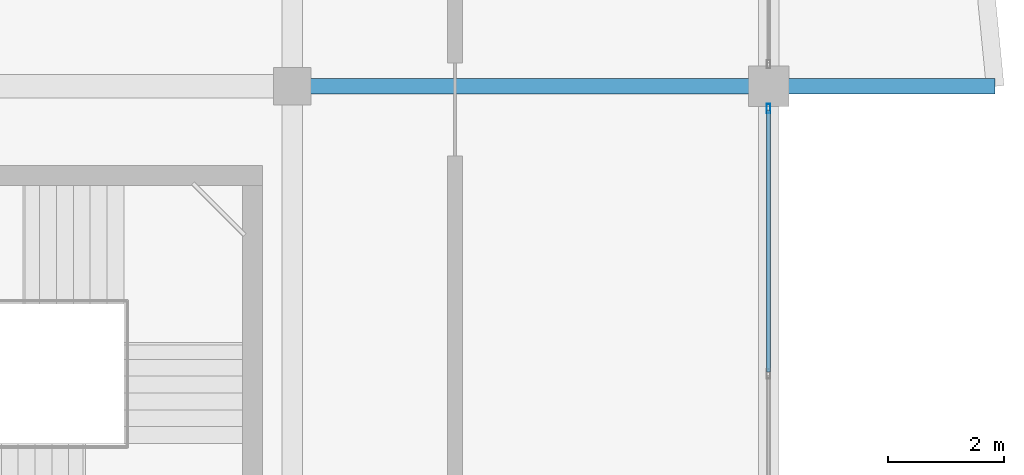
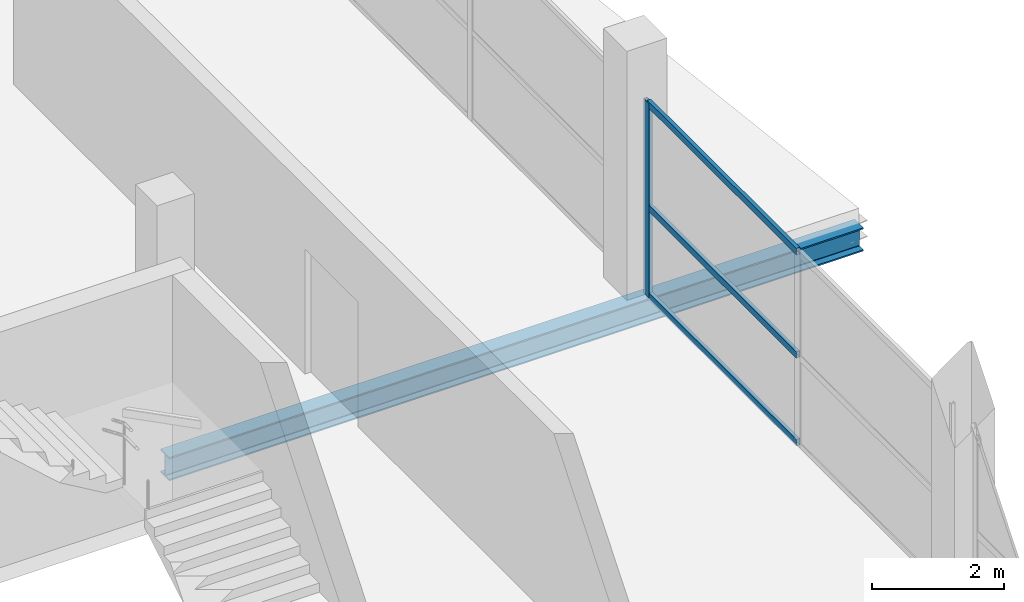
# One storey, part 35 of 69: 4 members, 1 beam, 1 element without a shape of its own.
"""IFC4 building model written with IfcOpenShell, lengths in metres."""

from ifc_helpers import new_model, si_unit, direction, frame, origin, origin_2d, place, context, subcontext, project, spatial, hollow_rectangle, i_section, extrude, material, layer, layer_set, material_profile, profile_set, type_object, element, aggregate, save


model = new_model("IFC4")

# Units and contexts
model_context = context("Model", 3, precision=1e-05, world=origin(), true_north=direction((0.0, 1.0)))
body_context = subcontext(model_context, "Body", "Model", "MODEL_VIEW")
ifc_project = project(units=[si_unit("LENGTHUNIT", "METRE"), si_unit("AREAUNIT", "SQUARE_METRE"), si_unit("VOLUMEUNIT", "CUBIC_METRE"), si_unit("PLANEANGLEUNIT", "RADIAN"), si_unit("MASSUNIT", "GRAM", prefix="KILO")], contexts=[model_context])

# Site, building, storey
site_placement = place(None, origin())
site = spatial("IfcSite", under=ifc_project, at=site_placement, CompositionType="ELEMENT")
building_placement = place(site_placement, origin())
building = spatial("IfcBuilding", under=site, at=building_placement, Name="Sillaruma Civic Art Gallery", CompositionType="ELEMENT")
storey_placement = place(building_placement, frame((0.0, 0.0, 42.330078125)))
storey = spatial("IfcBuildingStorey", under=building, at=storey_placement, Name="L08", CompositionType="ELEMENT", Elevation=42.330078125)

# Beam
ifc_material_1 = material(Name="Structural Steel ASTM A992 Gr.50", Category="steel")
ifc_material_profile_1 = material_profile(ifc_material_1, i_section(OverallWidth=0.264892578125, OverallDepth=0.430908203125, WebThickness=0.014892578125, FlangeThickness=0.02490234375, FilletRadius=0.012939453125, at=origin_2d()), Name="W410x149")
ifc_profile_set_1 = profile_set([ifc_material_profile_1], Name="Structural Steel ASTM A992 Gr.50")
beam_type = type_object("IfcBeamType", Name="BM-PROW-W410x149", PredefinedType="BEAM", material=ifc_profile_set_1)
beam_placement = place(storey_placement, frame((106.199951171875, 59.39990234375, -0.49560546875), z_axis=(1.0, 0.0, 0.0), x_axis=(0.0, 1.0, 0.0)))
element("IfcBeam", 1, at=beam_placement, inside=storey, type_object=beam_type, Name="Back-Spanned Prow Beam (PRW-L07-E-ROF-S)", PredefinedType="BEAM", context=body_context, shape_type="SweptSolid", body=[
    extrude(i_section(OverallWidth=0.264892578125, OverallDepth=0.430908203125, WebThickness=0.014892578125, FlangeThickness=0.02490234375, FilletRadius=0.012939453125, at=origin_2d()), origin(), (0.0, 0.0, 1.0), 12.10009765625),
])

# Curtain wall, members
ifc_material_2 = material(Name="Thermally Broken Extruded Aluminium 6063-T6", Category="aluminium")
ifc_layer = layer(ifc_material_2, 0.159912109375, Name="Thermally Broken Extruded Aluminium 6063-T6")
ifc_layer_set = layer_set([ifc_layer], Name="Thermally Broken Extruded Aluminium 6063-T6")
curtain_wall_type = type_object("IfcCurtainWallType", Name="CW-UNI-30", PredefinedType="NOTDEFINED", material=ifc_layer_set)
curtain_wall_placement = place(storey_placement, origin())
curtain_wall = element("IfcCurtainWall", 2, at=curtain_wall_placement, inside=storey, type_object=curtain_wall_type, Name="Unitised Curtain Wall CW-30 (CW-L08-EBE-4)", PredefinedType="NOTDEFINED")
ifc_material_profile_2 = material_profile(ifc_material_2, hollow_rectangle(XDim=0.06494140625, YDim=0.159912109375, WallThickness=0.00390625, at=origin_2d()), Name="CWM65x160")
ifc_profile_set_2 = profile_set([ifc_material_profile_2], Name="Thermally Broken Extruded Aluminium 6063-T6")
member_type_1 = type_object("IfcMemberType", Name="MEM-MUL-CWM65x160", PredefinedType="MULLION", material=ifc_profile_set_2)
member_1_placement = place(storey_placement, frame((114.39990234375, 59.017578125, 0.0), z_axis=(0.0, 0.0, 1.0), x_axis=(-1.0, 0.0, 0.0)))
member_1 = element("IfcMember", 3, at=member_1_placement, type_object=member_type_1, Name="CW-30 mullion 3", PredefinedType="MULLION", context=body_context, shape_type="SweptSolid", body=[
    extrude(hollow_rectangle(XDim=0.06494140625, YDim=0.159912109375, WallThickness=0.00390625, at=origin_2d()), origin(), (0.0, 0.0, 1.0), 3.58984375),
])
ifc_material_profile_3 = material_profile(ifc_material_2, hollow_rectangle(XDim=0.06494140625, YDim=0.1201171875, WallThickness=0.00341796875, at=origin_2d()), Name="CWT65x120")
ifc_profile_set_3 = profile_set([ifc_material_profile_3], Name="Thermally Broken Extruded Aluminium 6063-T6")
member_type_2 = type_object("IfcMemberType", Name="MEM-TRN-CWT65x120", PredefinedType="USERDEFINED", material=ifc_profile_set_3)
member_2_placement = place(storey_placement, frame((114.39990234375, 54.482421875, 0.032470703125), z_axis=(0.0, 1.0, 0.0), x_axis=(-1.0, 0.0, 0.0)))
member_2 = element("IfcMember", 4, at=member_2_placement, type_object=member_type_2, Name="CW-30 transom 2.1", ObjectType="TRANSOM", PredefinedType="USERDEFINED", context=body_context, shape_type="SweptSolid", body=[
    extrude(hollow_rectangle(XDim=0.06494140625, YDim=0.1201171875, WallThickness=0.00341796875, at=origin_2d()), origin(), (0.0, 0.0, 1.0), 4.502685546875),
])
member_3_placement = place(storey_placement, frame((114.39990234375, 54.482421875, 1.6513671875), z_axis=(0.0, 1.0, 0.0), x_axis=(-1.0, 0.0, 0.0)))
member_3 = element("IfcMember", 5, at=member_3_placement, type_object=member_type_2, Name="CW-30 transom 2.2", ObjectType="TRANSOM", PredefinedType="USERDEFINED", context=body_context, shape_type="SweptSolid", body=[
    extrude(hollow_rectangle(XDim=0.06494140625, YDim=0.1201171875, WallThickness=0.00341796875, at=origin_2d()), origin(), (0.0, 0.0, 1.0), 4.502685546875),
])
member_4_placement = place(storey_placement, frame((114.39990234375, 54.482421875, 3.557373046875), z_axis=(0.0, 1.0, 0.0), x_axis=(-1.0, 0.0, 0.0)))
member_4 = element("IfcMember", 6, at=member_4_placement, type_object=member_type_2, Name="CW-30 transom 2.3", ObjectType="TRANSOM", PredefinedType="USERDEFINED", context=body_context, shape_type="SweptSolid", body=[
    extrude(hollow_rectangle(XDim=0.06494140625, YDim=0.1201171875, WallThickness=0.00341796875, at=origin_2d()), origin(), (0.0, 0.0, 1.0), 4.502685546875),
])
aggregate(curtain_wall, [member_1, member_2, member_3, member_4])

save(model, "model.ifc")
